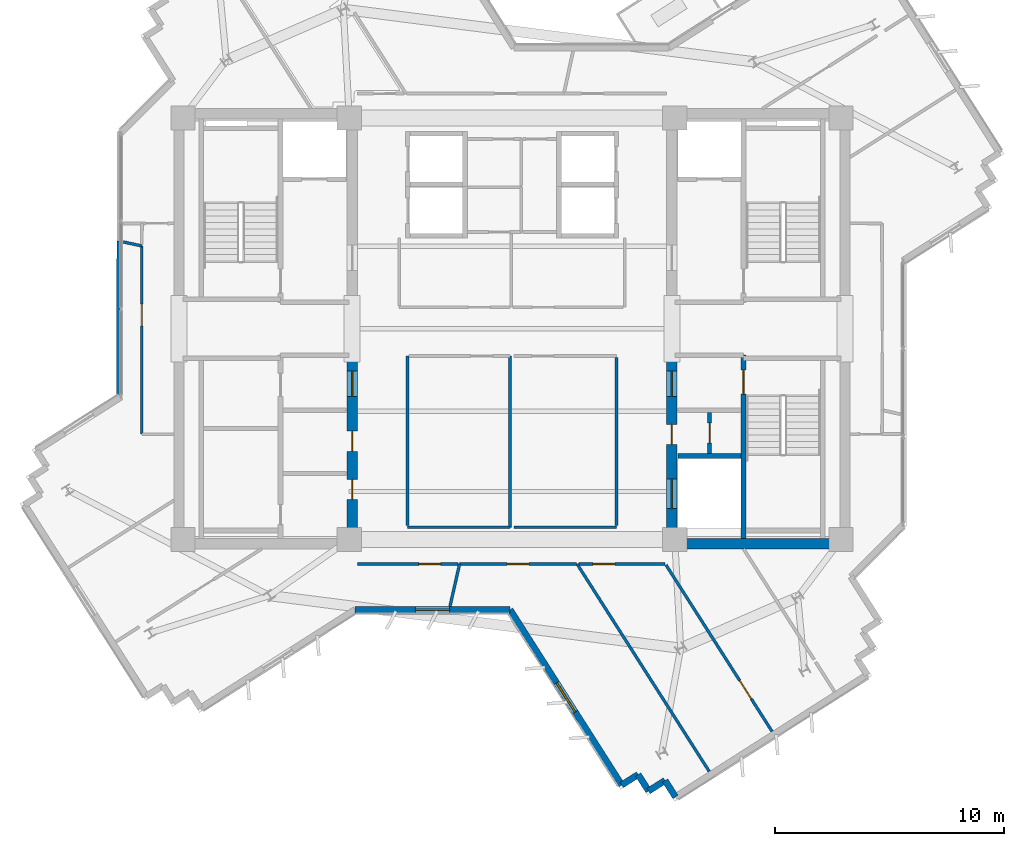
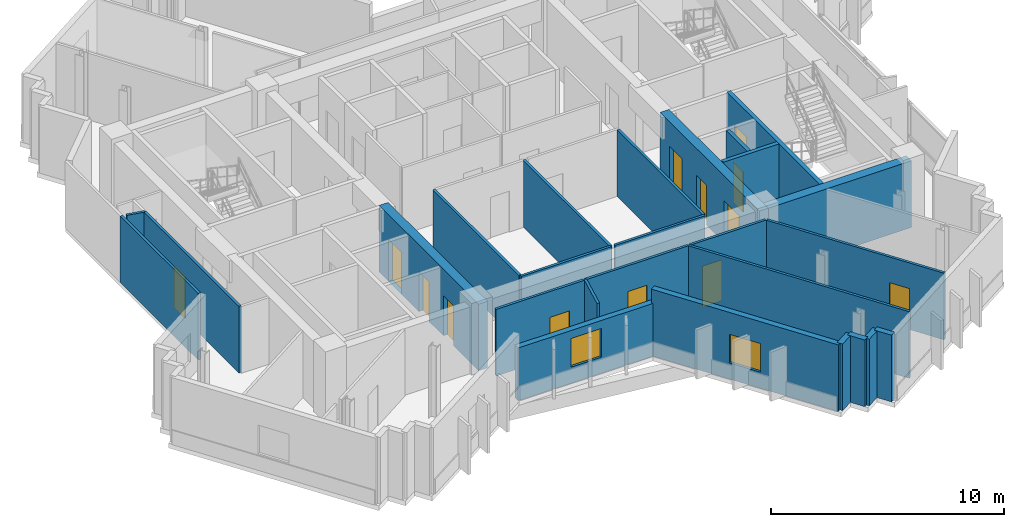
# One storey, part 5 of 12: 26 walls, 13 doors, 2 windows, 15 openings.
"""IFC4 building model written with IfcOpenShell, lengths in metres."""

from ifc_helpers import new_model, si_unit, direction, frame, frame_2d, origin, place, context, subcontext, project, spatial, rectangle, extrude, source, transform, mapped, material, layer, layer_set, type_object, element, fill, save


model = new_model("IFC4")

# Units and contexts
model_context = context("Model", 3, precision=1e-05, world=origin(), true_north=direction((0.0, 1.0)))
body_context = subcontext(model_context, "Body", "Model", "MODEL_VIEW")
ifc_project = project(units=[si_unit("LENGTHUNIT", "METRE"), si_unit("AREAUNIT", "SQUARE_METRE"), si_unit("VOLUMEUNIT", "CUBIC_METRE"), si_unit("PLANEANGLEUNIT", "RADIAN"), si_unit("MASSUNIT", "GRAM", prefix="KILO")], contexts=[model_context])

# Site, building, storey
site_placement = place(None, origin())
site = spatial("IfcSite", under=ifc_project, at=site_placement, CompositionType="ELEMENT")
building_placement = place(site_placement, origin())
building = spatial("IfcBuilding", under=site, at=building_placement, Name="Zahravan Cultural Tower", CompositionType="ELEMENT")
storey_placement = place(building_placement, frame((0.0, 0.0, 265.35009765625)))
storey = spatial("IfcBuildingStorey", under=building, at=storey_placement, Name="L63", CompositionType="ELEMENT", Elevation=265.35009765625)

# Wall, openings, doors
ifc_material_1 = material(Name="Concrete C50/60", Category="concrete")
ifc_layer_1 = layer(ifc_material_1, 0.449951171875)
ifc_layer_set_1 = layer_set([ifc_layer_1], Name="Concrete C50/60")
wall_type_1 = type_object("IfcWallType", Name="CW-SHEAR-450-C50", PredefinedType="SHEAR", material=ifc_layer_set_1)
wall_1_placement = place(storey_placement, frame((29.02490234375, 17.39990234375, 0.0), z_axis=(0.0, 0.0, 1.0), x_axis=(0.0, 1.0, 0.0)))
wall_1 = element("IfcWall", 1, at=wall_1_placement, inside=storey, type_object=wall_type_1, Name="L63 Core Shear Wall CW-W-ES-L63", PredefinedType="SHEAR", context=body_context, shape_type="SweptSolid", body=[
    extrude(rectangle(XDim=8.550048828125, YDim=0.449951171875, at=frame_2d((4.27490234375, 0.0))), origin(), (0.0, 0.0, 1.0), 3.5),
])
opening_1_placement = place(wall_1_placement, frame((6.64990234375, 0.0, 0.0)))
opening_1 = element("IfcOpeningElement", 2, at=opening_1_placement, cuts=wall_1, Name="Opening D-L63-08", PredefinedType="OPENING", context=body_context, shape_type="SweptSolid", body=[
    extrude(rectangle(XDim=1.10009765625, YDim=2.199951171875, at=frame_2d((0.550048828125, 1.10009765625))), frame((0.0, 0.23486328125, 0.0), z_axis=(0.0, -1.0, 0.0), x_axis=(1.0, 0.0, 0.0)), (0.0, 0.0, 1.0), 0.469970703125),
])
opening_2_placement = place(wall_1_placement, frame((2.14990234375, 0.0, 0.0)))
opening_2 = element("IfcOpeningElement", 3, at=opening_2_placement, cuts=wall_1, Name="Opening D-L63-10", PredefinedType="OPENING", context=body_context, shape_type="SweptSolid", body=[
    extrude(rectangle(XDim=0.8798828125, YDim=2.10009765625, at=frame_2d((0.43994140625, 1.050048828125))), frame((0.0, 0.23486328125, 0.0), z_axis=(0.0, -1.0, 0.0), x_axis=(1.0, 0.0, 0.0)), (0.0, 0.0, 1.0), 0.469970703125),
])
opening_3_placement = place(wall_1_placement, frame((4.25, 0.0, 0.0)))
opening_3 = element("IfcOpeningElement", 4, at=opening_3_placement, cuts=wall_1, Name="Opening D-L63-11", PredefinedType="OPENING", context=body_context, shape_type="SweptSolid", body=[
    extrude(rectangle(XDim=0.8798828125, YDim=2.10009765625, at=frame_2d((0.43994140625, 1.050048828125))), frame((0.0, 0.23486328125, 0.0), z_axis=(0.0, -1.0, 0.0), x_axis=(1.0, 0.0, 0.0)), (0.0, 0.0, 1.0), 0.469970703125),
])
ifc_material_2 = material(Name="Steel ASTM A572 Grade 50", Category="steel")
door_type_1 = type_object("IfcDoorType", Name="DR-LOBBY-1100", OperationType="NOTDEFINED", PredefinedType="DOOR", material=ifc_material_2)
shared_shape_1 = source(origin(), body_context, "Body", "SweptSolid", [
    extrude(rectangle(XDim=1.10009765625, YDim=2.199951171875, at=frame_2d((0.550048828125, 1.10009765625))), frame((0.0, 0.02490234375, 0.0), z_axis=(0.0, -1.0, 0.0), x_axis=(1.0, 0.0, 0.0)), (0.0, 0.0, 1.0), 0.050048828125),
])
door_1_placement = place(opening_1_placement, origin())
door_1 = element("IfcDoor", 5, at=door_1_placement, inside=storey, type_object=door_type_1, Name="L63 Door D-L63-08", OperationType="SINGLE_SWING_LEFT", OverallHeight=2.199951171875, OverallWidth=1.10009765625, PredefinedType="DOOR", context=body_context, shape_type="MappedRepresentation", body=[
    mapped(shared_shape_1, transform((0.0, 0.0, 0.0), x_axis=(1.0, 0.0, 0.0), y_axis=(0.0, 1.0, 0.0), z_axis=(0.0, 0.0, 1.0), scale=1.0)),
])
fill(opening_1, door_1)
door_type_2 = type_object("IfcDoorType", Name="DR-SVC-880", OperationType="NOTDEFINED", PredefinedType="DOOR", material=ifc_material_2)
shared_shape_2 = source(origin(), body_context, "Body", "SweptSolid", [
    extrude(rectangle(XDim=0.8798828125, YDim=2.10009765625, at=frame_2d((0.43994140625, 1.050048828125))), frame((0.0, 0.02490234375, 0.0), z_axis=(0.0, -1.0, 0.0), x_axis=(1.0, 0.0, 0.0)), (0.0, 0.0, 1.0), 0.050048828125),
])
door_2_placement = place(opening_2_placement, origin())
door_2 = element("IfcDoor", 6, at=door_2_placement, inside=storey, type_object=door_type_2, Name="L63 Door D-L63-10", OperationType="SINGLE_SWING_LEFT", OverallHeight=2.10009765625, OverallWidth=0.8798828125, PredefinedType="DOOR", context=body_context, shape_type="MappedRepresentation", body=[
    mapped(shared_shape_2, transform((0.0, 0.0, 0.0), x_axis=(1.0, 0.0, 0.0), y_axis=(0.0, 1.0, 0.0), z_axis=(0.0, 0.0, 1.0), scale=1.0)),
])
fill(opening_2, door_2)
door_3_placement = place(opening_3_placement, origin())
door_3 = element("IfcDoor", 7, at=door_3_placement, inside=storey, type_object=door_type_2, Name="L63 Door D-L63-11", OperationType="SINGLE_SWING_RIGHT", OverallHeight=2.10009765625, OverallWidth=0.8798828125, PredefinedType="DOOR", context=body_context, shape_type="MappedRepresentation", body=[
    mapped(shared_shape_2, transform((0.0, 0.0, 0.0), x_axis=(1.0, 0.0, 0.0), y_axis=(0.0, 1.0, 0.0), z_axis=(0.0, 0.0, 1.0), scale=1.0)),
])
fill(opening_3, door_3)

wall_2_placement = place(storey_placement, frame((42.97509765625, 17.39990234375, 0.0), z_axis=(0.0, 0.0, 1.0), x_axis=(0.0, 1.0, 0.0)))
wall_2 = element("IfcWall", 8, at=wall_2_placement, inside=storey, type_object=wall_type_1, Name="L63 Core Shear Wall CW-E-WS-L63", PredefinedType="SHEAR", context=body_context, shape_type="SweptSolid", body=[
    extrude(rectangle(XDim=8.550048828125, YDim=0.449951171875, at=frame_2d((4.27490234375, 0.0))), origin(), (0.0, 0.0, 1.0), 3.5),
])
opening_4_placement = place(wall_2_placement, frame((6.64990234375, 0.0, 0.0)))
opening_4 = element("IfcOpeningElement", 9, at=opening_4_placement, cuts=wall_2, Name="Opening D-L63-09", PredefinedType="OPENING", context=body_context, shape_type="SweptSolid", body=[
    extrude(rectangle(XDim=1.10009765625, YDim=2.199951171875, at=frame_2d((0.550048828125, 1.10009765625))), frame((0.0, 0.23486328125, 0.0), z_axis=(0.0, -1.0, 0.0), x_axis=(1.0, 0.0, 0.0)), (0.0, 0.0, 1.0), 0.469970703125),
])
opening_5_placement = place(wall_2_placement, frame((1.75, 0.0, 0.0)))
opening_5 = element("IfcOpeningElement", 10, at=opening_5_placement, cuts=wall_2, Name="Opening LD-L63-03", PredefinedType="OPENING", context=body_context, shape_type="SweptSolid", body=[
    extrude(rectangle(XDim=1.300048828125, YDim=2.199951171875, at=frame_2d((0.64990234375, 1.10009765625))), frame((0.0, 0.23486328125, 0.0), z_axis=(0.0, -1.0, 0.0), x_axis=(1.0, 0.0, 0.0)), (0.0, 0.0, 1.0), 0.469970703125),
])
opening_6_placement = place(wall_2_placement, frame((4.550048828125, 0.0, 0.0)))
opening_6 = element("IfcOpeningElement", 11, at=opening_6_placement, cuts=wall_2, Name="Opening D-L63-12", PredefinedType="OPENING", context=body_context, shape_type="SweptSolid", body=[
    extrude(rectangle(XDim=0.8798828125, YDim=2.10009765625, at=frame_2d((0.43994140625, 1.050048828125))), frame((0.0, 0.23486328125, 0.0), z_axis=(0.0, -1.0, 0.0), x_axis=(1.0, 0.0, 0.0)), (0.0, 0.0, 1.0), 0.469970703125),
])
door_4_placement = place(opening_4_placement, origin())
door_4 = element("IfcDoor", 12, at=door_4_placement, inside=storey, type_object=door_type_1, Name="L63 Door D-L63-09", OperationType="SINGLE_SWING_RIGHT", OverallHeight=2.199951171875, OverallWidth=1.10009765625, PredefinedType="DOOR", context=body_context, shape_type="MappedRepresentation", body=[
    mapped(shared_shape_1, transform((0.0, 0.0, 0.0), x_axis=(1.0, 0.0, 0.0), y_axis=(0.0, 1.0, 0.0), z_axis=(0.0, 0.0, 1.0), scale=1.0)),
])
fill(opening_4, door_4)
door_type_3 = type_object("IfcDoorType", Name="DR-LIFT-1300", OperationType="DOUBLE_DOOR_SLIDING", PredefinedType="DOOR", material=ifc_material_2)
shared_shape_3 = source(origin(), body_context, "Body", "SweptSolid", [
    extrude(rectangle(XDim=1.300048828125, YDim=2.199951171875, at=frame_2d((0.64990234375, 1.10009765625))), frame((0.0, 0.02490234375, 0.0), z_axis=(0.0, -1.0, 0.0), x_axis=(1.0, 0.0, 0.0)), (0.0, 0.0, 1.0), 0.050048828125),
])
door_5_placement = place(opening_5_placement, origin())
door_5 = element("IfcDoor", 13, at=door_5_placement, inside=storey, type_object=door_type_3, Name="L63 Door LD-L63-03", OperationType="DOUBLE_DOOR_SLIDING", OverallHeight=2.199951171875, OverallWidth=1.300048828125, PredefinedType="DOOR", context=body_context, shape_type="MappedRepresentation", body=[
    mapped(shared_shape_3, transform((0.0, 0.0, 0.0), x_axis=(1.0, 0.0, 0.0), y_axis=(0.0, 1.0, 0.0), z_axis=(0.0, 0.0, 1.0), scale=1.0)),
])
fill(opening_5, door_5)
door_6_placement = place(opening_6_placement, origin())
door_6 = element("IfcDoor", 14, at=door_6_placement, inside=storey, type_object=door_type_2, Name="L63 Door D-L63-12", OperationType="SINGLE_SWING_LEFT", OverallHeight=2.10009765625, OverallWidth=0.8798828125, PredefinedType="DOOR", context=body_context, shape_type="MappedRepresentation", body=[
    mapped(shared_shape_2, transform((0.0, 0.0, 0.0), x_axis=(1.0, 0.0, 0.0), y_axis=(0.0, 1.0, 0.0), z_axis=(0.0, 0.0, 1.0), scale=1.0)),
])
fill(opening_6, door_6)

# Wall, opening, window
ifc_material_3 = material(Name="Precast concrete C40/50", Category="concrete")
ifc_layer_2 = layer(ifc_material_3, 0.280029296875)
ifc_layer_set_2 = layer_set([ifc_layer_2], Name="Precast concrete C40/50")
wall_type_2 = type_object("IfcWallType", Name="EW-TC-280", PredefinedType="SOLIDWALL", material=ifc_layer_set_2)
wall_3_placement = place(storey_placement, frame((40.78515625, 7.093505859375, 0.0), z_axis=(0.0, 0.0, 1.0), x_axis=(-0.537298831286, 0.843391940855, 0.0)))
wall_3 = element("IfcWall", 15, at=wall_3_placement, inside=storey, type_object=wall_type_2, Name="L63 Exterior Masonry Frame Wall 23", PredefinedType="SOLIDWALL", context=body_context, shape_type="SweptSolid", body=[
    extrude(rectangle(XDim=9.06640625, YDim=0.280029296875, at=frame_2d((4.533203125, 0.0))), origin(), (0.0, 0.0, 1.0), 3.5),
])
opening_7_placement = place(wall_3_placement, frame((3.782958984375, 0.0, 0.85009765625)))
opening_7 = element("IfcOpeningElement", 16, at=opening_7_placement, cuts=wall_3, Name="Opening WN-03", PredefinedType="OPENING", context=body_context, shape_type="SweptSolid", body=[
    extrude(rectangle(XDim=1.5, YDim=1.5, at=frame_2d((0.75, 0.75))), frame((0.0, 0.14990234375, 0.0), z_axis=(0.0, -1.0, 0.0), x_axis=(1.0, 0.0, 0.0)), (0.0, 0.0, 1.0), 0.300048828125),
])
ifc_material_4 = material(Name="Low-E solar-control double glazing", Category="glass")
window_type = type_object("IfcWindowType", Name="WN-REC-1500X1500", PartitioningType="SINGLE_PANEL", PredefinedType="WINDOW", material=ifc_material_4)
shared_shape_4 = source(origin(), body_context, "Body", "SweptSolid", [
    extrude(rectangle(XDim=1.5, YDim=1.5, at=frame_2d((0.75, 0.75))), frame((0.0, 0.030029296875, 0.0), z_axis=(0.0, -1.0, 0.0), x_axis=(1.0, 0.0, 0.0)), (0.0, 0.0, 1.0), 0.06005859375),
])
window_1_placement = place(opening_7_placement, origin())
window_1 = element("IfcWindow", 17, at=window_1_placement, inside=storey, type_object=window_type, Name="L63 Recessed Solar Window 03", OverallHeight=1.5, OverallWidth=1.5, PartitioningType="SINGLE_PANEL", PredefinedType="WINDOW", context=body_context, shape_type="MappedRepresentation", body=[
    mapped(shared_shape_4, transform((0.0, 0.0, 0.0), x_axis=(1.0, 0.0, 0.0), y_axis=(0.0, 1.0, 0.0), z_axis=(0.0, 0.0, 1.0), scale=1.0)),
])
fill(opening_7, window_1)

wall_4_placement = place(storey_placement, frame((35.913818359375, 14.739990234375, 0.0), z_axis=(0.0, 0.0, 1.0), x_axis=(-1.0, 0.0, 0.0)))
wall_4 = element("IfcWall", 18, at=wall_4_placement, inside=storey, type_object=wall_type_2, Name="L63 Exterior Masonry Frame Wall 24", PredefinedType="SOLIDWALL", context=body_context, shape_type="SweptSolid", body=[
    extrude(rectangle(XDim=6.762939453125, YDim=0.280029296875, at=frame_2d((3.38134765625, 0.0))), origin(), (0.0, 0.0, 1.0), 2.77197265625),
])
opening_8_placement = place(wall_4_placement, frame((2.631103515625, 0.0, 0.85009765625)))
opening_8 = element("IfcOpeningElement", 19, at=opening_8_placement, cuts=wall_4, Name="Opening WN-03", PredefinedType="OPENING", context=body_context, shape_type="SweptSolid", body=[
    extrude(rectangle(XDim=1.5, YDim=1.5, at=frame_2d((0.75, 0.75))), frame((0.0, 0.14990234375, 0.0), z_axis=(0.0, -1.0, 0.0), x_axis=(1.0, 0.0, 0.0)), (0.0, 0.0, 1.0), 0.300048828125),
])
window_2_placement = place(opening_8_placement, origin())
window_2 = element("IfcWindow", 20, at=window_2_placement, inside=storey, type_object=window_type, Name="L63 Recessed Solar Window 04", OverallHeight=1.5, OverallWidth=1.5, PartitioningType="SINGLE_PANEL", PredefinedType="WINDOW", context=body_context, shape_type="MappedRepresentation", body=[
    mapped(shared_shape_4, transform((0.0, 0.0, 0.0), x_axis=(1.0, 0.0, 0.0), y_axis=(0.0, 1.0, 0.0), z_axis=(0.0, 0.0, 1.0), scale=1.0)),
])
fill(opening_8, window_2)

# Wall, opening, door
ifc_material_5 = material(Name="Gypsum plasterboard partition")
ifc_layer_3 = layer(ifc_material_5, 0.179931640625)
ifc_layer_set_3 = layer_set([ifc_layer_3], Name="Gypsum plasterboard partition")
wall_type_3 = type_object("IfcWallType", Name="W-COMP-180", PredefinedType="PARTITIONING", material=ifc_layer_set_3)
wall_5_placement = place(storey_placement, frame((44.6201171875, 21.550048828125, 0.0), z_axis=(0.0, 0.0, 1.0), x_axis=(0.0, 1.0, 0.0)))
wall_5 = element("IfcWall", 21, at=wall_5_placement, inside=storey, type_object=wall_type_3, Name="L63 Interior Wall 028", PredefinedType="PARTITIONING", context=body_context, shape_type="SweptSolid", body=[
    extrude(rectangle(XDim=1.800048828125, YDim=0.179931640625, at=frame_2d((0.89990234375, 0.0))), origin(), (0.0, 0.0, 1.0), 3.5),
])
opening_9_placement = place(wall_5_placement, frame((0.4599609375, 0.0, 0.0)))
opening_9 = element("IfcOpeningElement", 22, at=opening_9_placement, cuts=wall_5, Name="Opening D-L63-13", PredefinedType="OPENING", context=body_context, shape_type="SweptSolid", body=[
    extrude(rectangle(XDim=0.8798828125, YDim=2.10009765625, at=frame_2d((0.43994140625, 1.050048828125))), frame((0.0, 0.099853515625, 0.0), z_axis=(0.0, -1.0, 0.0), x_axis=(1.0, 0.0, 0.0)), (0.0, 0.0, 1.0), 0.199951171875),
])
door_7_placement = place(opening_9_placement, origin())
door_7 = element("IfcDoor", 23, at=door_7_placement, inside=storey, type_object=door_type_2, Name="L63 Door D-L63-13", OperationType="SINGLE_SWING_RIGHT", OverallHeight=2.10009765625, OverallWidth=0.8798828125, PredefinedType="DOOR", context=body_context, shape_type="MappedRepresentation", body=[
    mapped(shared_shape_2, transform((0.0, 0.0, 0.0), x_axis=(1.0, 0.0, 0.0), y_axis=(0.0, 1.0, 0.0), z_axis=(0.0, 0.0, 1.0), scale=1.0)),
])
fill(opening_9, door_7)

ifc_layer_4 = layer(ifc_material_5, 0.125)
ifc_layer_set_4 = layer_set([ifc_layer_4], Name="Gypsum plasterboard partition")
wall_type_4 = type_object("IfcWallType", Name="W-PART-125", PredefinedType="PARTITIONING", material=ifc_layer_set_4)
wall_6_placement = place(storey_placement, frame((47.347412109375, 9.430419921875, 0.0), z_axis=(0.0, 0.0, 1.0), x_axis=(-0.537311775461, 0.843383694383, 0.0)))
wall_6 = element("IfcWall", 24, at=wall_6_placement, inside=storey, type_object=wall_type_4, Name="L63 Interior Wall 061", PredefinedType="PARTITIONING", context=body_context, shape_type="SweptSolid", body=[
    extrude(rectangle(XDim=8.6162109375, YDim=0.125, at=frame_2d((4.30810546875, 0.0))), origin(), (0.0, 0.0, 1.0), 3.5),
])
opening_10_placement = place(wall_6_placement, frame((1.6865234375, 0.0, 0.0)))
opening_10 = element("IfcOpeningElement", 25, at=opening_10_placement, cuts=wall_6, Name="Opening D-L63-33", PredefinedType="OPENING", context=body_context, shape_type="SweptSolid", body=[
    extrude(rectangle(XDim=0.949951171875, YDim=2.14990234375, at=frame_2d((0.47509765625, 1.074951171875))), frame((0.0, 0.072509765625, 0.0), z_axis=(0.0, -1.0, 0.0), x_axis=(1.0, 0.0, 0.0)), (0.0, 0.0, 1.0), 0.14501953125),
])
ifc_material_6 = material(Name="Anodised bronze-aluminium mullion", Category="aluminium")
door_type_4 = type_object("IfcDoorType", Name="DR-ROOM-950", OperationType="NOTDEFINED", PredefinedType="DOOR", material=ifc_material_6)
shared_shape_5 = source(origin(), body_context, "Body", "SweptSolid", [
    extrude(rectangle(XDim=0.949951171875, YDim=2.14990234375, at=frame_2d((0.47509765625, 1.074951171875))), frame((0.0, 0.02490234375, 0.0), z_axis=(0.0, -1.0, 0.0), x_axis=(1.0, 0.0, 0.0)), (0.0, 0.0, 1.0), 0.050048828125),
])
door_8_placement = place(opening_10_placement, origin())
door_8 = element("IfcDoor", 26, at=door_8_placement, inside=storey, type_object=door_type_4, Name="L63 Door D-L63-33", OperationType="SINGLE_SWING_RIGHT", OverallHeight=2.14990234375, OverallWidth=0.949951171875, PredefinedType="DOOR", context=body_context, shape_type="MappedRepresentation", body=[
    mapped(shared_shape_5, transform((0.0, 0.0, 0.0), x_axis=(1.0, 0.0, 0.0), y_axis=(0.0, 1.0, 0.0), z_axis=(0.0, 0.0, 1.0), scale=1.0)),
])
fill(opening_10, door_8)

wall_7_placement = place(storey_placement, frame((38.9169921875, 16.739990234375, 0.0), z_axis=(0.0, 0.0, 1.0), x_axis=(1.0, 0.0, 0.0)))
wall_7 = element("IfcWall", 27, at=wall_7_placement, inside=storey, type_object=wall_type_4, Name="L63 Interior Wall 065", PredefinedType="PARTITIONING", context=body_context, shape_type="SweptSolid", body=[
    extrude(rectangle(XDim=3.749755859375, YDim=0.125, at=frame_2d((1.875, 0.0))), origin(), (0.0, 0.0, 1.0), 3.5),
])
opening_11_placement = place(wall_7_placement, frame((0.615966796875, 0.0, 0.0)))
opening_11 = element("IfcOpeningElement", 28, at=opening_11_placement, cuts=wall_7, Name="Opening D-L63-28", PredefinedType="OPENING", context=body_context, shape_type="SweptSolid", body=[
    extrude(rectangle(XDim=0.949951171875, YDim=2.14990234375, at=frame_2d((0.47509765625, 1.074951171875))), frame((0.0, 0.072509765625, 0.0), z_axis=(0.0, -1.0, 0.0), x_axis=(1.0, 0.0, 0.0)), (0.0, 0.0, 1.0), 0.14501953125),
])
door_9_placement = place(opening_11_placement, origin())
door_9 = element("IfcDoor", 29, at=door_9_placement, inside=storey, type_object=door_type_4, Name="L63 Door D-L63-28", OperationType="SINGLE_SWING_LEFT", OverallHeight=2.14990234375, OverallWidth=0.949951171875, PredefinedType="DOOR", context=body_context, shape_type="MappedRepresentation", body=[
    mapped(shared_shape_5, transform((0.0, 0.0, 0.0), x_axis=(1.0, 0.0, 0.0), y_axis=(0.0, 1.0, 0.0), z_axis=(0.0, 0.0, 1.0), scale=1.0)),
])
fill(opening_11, door_9)

wall_8_placement = place(storey_placement, frame((19.85009765625, 30.61279296875, 0.0), z_axis=(0.0, 0.0, 1.0), x_axis=(0.0, -1.0, 0.0)))
wall_8 = element("IfcWall", 30, at=wall_8_placement, inside=storey, type_object=wall_type_4, Name="L63 Interior Wall 081", PredefinedType="PARTITIONING", context=body_context, shape_type="SweptSolid", body=[
    extrude(rectangle(XDim=8.206787109375, YDim=0.125, at=frame_2d((4.103515625, 0.0))), origin(), (0.0, 0.0, 1.0), 3.5),
])
opening_12_placement = place(wall_8_placement, frame((2.5400390625, 0.0, 0.0)))
opening_12 = element("IfcOpeningElement", 31, at=opening_12_placement, cuts=wall_8, Name="Opening D-L63-25", PredefinedType="OPENING", context=body_context, shape_type="SweptSolid", body=[
    extrude(rectangle(XDim=0.949951171875, YDim=2.14990234375, at=frame_2d((0.47509765625, 1.074951171875))), frame((0.0, 0.072509765625, 0.0), z_axis=(0.0, -1.0, 0.0), x_axis=(1.0, 0.0, 0.0)), (0.0, 0.0, 1.0), 0.14501953125),
])
door_10_placement = place(opening_12_placement, origin())
door_10 = element("IfcDoor", 32, at=door_10_placement, inside=storey, type_object=door_type_4, Name="L63 Door D-L63-25", OperationType="SINGLE_SWING_RIGHT", OverallHeight=2.14990234375, OverallWidth=0.949951171875, PredefinedType="DOOR", context=body_context, shape_type="MappedRepresentation", body=[
    mapped(shared_shape_5, transform((0.0, 0.0, 0.0), x_axis=(1.0, 0.0, 0.0), y_axis=(0.0, 1.0, 0.0), z_axis=(0.0, 0.0, 1.0), scale=1.0)),
])
fill(opening_12, door_10)

wall_9_placement = place(storey_placement, frame((33.714111328125, 16.739990234375, 0.0), z_axis=(0.0, 0.0, 1.0), x_axis=(1.0, 0.0, 0.0)))
wall_9 = element("IfcWall", 33, at=wall_9_placement, inside=storey, type_object=wall_type_4, Name="L63 Interior Wall 090", PredefinedType="PARTITIONING", context=body_context, shape_type="SweptSolid", body=[
    extrude(rectangle(XDim=5.09912109375, YDim=0.125, at=frame_2d((2.549560546875, 0.0))), origin(), (0.0, 0.0, 1.0), 3.5),
])
opening_13_placement = place(wall_9_placement, frame((2.07470703125, 0.0, 0.0)))
opening_13 = element("IfcOpeningElement", 34, at=opening_13_placement, cuts=wall_9, Name="Opening D-L63-27", PredefinedType="OPENING", context=body_context, shape_type="SweptSolid", body=[
    extrude(rectangle(XDim=0.949951171875, YDim=2.14990234375, at=frame_2d((0.47509765625, 1.074951171875))), frame((0.0, 0.072509765625, 0.0), z_axis=(0.0, -1.0, 0.0), x_axis=(1.0, 0.0, 0.0)), (0.0, 0.0, 1.0), 0.14501953125),
])
door_11_placement = place(opening_13_placement, origin())
door_11 = element("IfcDoor", 35, at=door_11_placement, inside=storey, type_object=door_type_4, Name="L63 Door D-L63-27", OperationType="SINGLE_SWING_RIGHT", OverallHeight=2.14990234375, OverallWidth=0.949951171875, PredefinedType="DOOR", context=body_context, shape_type="MappedRepresentation", body=[
    mapped(shared_shape_5, transform((0.0, 0.0, 0.0), x_axis=(1.0, 0.0, 0.0), y_axis=(0.0, 1.0, 0.0), z_axis=(0.0, 0.0, 1.0), scale=1.0)),
])
fill(opening_13, door_11)

wall_10_placement = place(storey_placement, frame((29.257568359375, 16.740234375, 0.0), z_axis=(0.0, 0.0, 1.0), x_axis=(0.999999998452, -5.5645206e-05, 0.0)))
wall_10 = element("IfcWall", 36, at=wall_10_placement, inside=storey, type_object=wall_type_4, Name="L63 Interior Wall 094", PredefinedType="PARTITIONING", context=body_context, shape_type="SweptSolid", body=[
    extrude(rectangle(XDim=4.387451171875, YDim=0.125, at=frame_2d((2.19384765625, 0.0))), origin(), (0.0, 0.0, 1.0), 3.5),
])
opening_14_placement = place(wall_10_placement, frame((2.68115234375, 0.0, 0.0)))
opening_14 = element("IfcOpeningElement", 37, at=opening_14_placement, cuts=wall_10, Name="Opening D-L63-26", PredefinedType="OPENING", context=body_context, shape_type="SweptSolid", body=[
    extrude(rectangle(XDim=0.949951171875, YDim=2.14990234375, at=frame_2d((0.47509765625, 1.074951171875))), frame((0.0, 0.072509765625, 0.0), z_axis=(0.0, -1.0, 0.0), x_axis=(1.0, 0.0, 0.0)), (0.0, 0.0, 1.0), 0.14501953125),
])
door_12_placement = place(opening_14_placement, origin())
door_12 = element("IfcDoor", 38, at=door_12_placement, inside=storey, type_object=door_type_4, Name="L63 Door D-L63-26", OperationType="SINGLE_SWING_LEFT", OverallHeight=2.14990234375, OverallWidth=0.949951171875, PredefinedType="DOOR", context=body_context, shape_type="MappedRepresentation", body=[
    mapped(shared_shape_5, transform((0.0, 0.0, 0.0), x_axis=(1.0, 0.0, 0.0), y_axis=(0.0, 1.0, 0.0), z_axis=(0.0, 0.0, 1.0), scale=1.0)),
])
fill(opening_14, door_12)

ifc_material_7 = material(Name="Concrete C45/55", Category="concrete")
ifc_layer_5 = layer(ifc_material_7, 0.199951171875)
ifc_layer_set_5 = layer_set([ifc_layer_5], Name="Concrete C45/55")
wall_type_5 = type_object("IfcWallType", Name="W-SHAFT-200", PredefinedType="SOLIDWALL", material=ifc_layer_set_5)
wall_11_placement = place(storey_placement, frame((46.10009765625, 17.85009765625, 0.0), z_axis=(0.0, 0.0, 1.0), x_axis=(0.0, 1.0, 0.0)))
wall_11 = element("IfcWall", 39, at=wall_11_placement, inside=storey, type_object=wall_type_5, Name="L63 Interior Wall 007", PredefinedType="SOLIDWALL", context=body_context, shape_type="SweptSolid", body=[
    extrude(rectangle(XDim=8.0, YDim=0.199951171875, at=frame_2d((4.0, 0.0))), origin(), (0.0, 0.0, 1.0), 3.5),
])
opening_15_placement = place(wall_11_placement, frame((6.300048828125, 0.0, 0.0)))
opening_15 = element("IfcOpeningElement", 40, at=opening_15_placement, cuts=wall_11, Name="Opening D-L63-03", PredefinedType="OPENING", context=body_context, shape_type="SweptSolid", body=[
    extrude(rectangle(XDim=1.050048828125, YDim=2.14990234375, at=frame_2d((0.52490234375, 1.074951171875))), frame((0.0, 0.10986328125, 0.0), z_axis=(0.0, -1.0, 0.0), x_axis=(1.0, 0.0, 0.0)), (0.0, 0.0, 1.0), 0.219970703125),
])
door_type_5 = type_object("IfcDoorType", Name="DR-STAIR-1050", OperationType="NOTDEFINED", PredefinedType="DOOR", material=ifc_material_2)
shared_shape_6 = source(origin(), body_context, "Body", "SweptSolid", [
    extrude(rectangle(XDim=1.050048828125, YDim=2.14990234375, at=frame_2d((0.52490234375, 1.074951171875))), frame((0.0, 0.02490234375, 0.0), z_axis=(0.0, -1.0, 0.0), x_axis=(1.0, 0.0, 0.0)), (0.0, 0.0, 1.0), 0.050048828125),
])
door_13_placement = place(opening_15_placement, origin())
door_13 = element("IfcDoor", 41, at=door_13_placement, inside=storey, type_object=door_type_5, Name="L63 Door D-L63-03", OperationType="SINGLE_SWING_RIGHT", OverallHeight=2.14990234375, OverallWidth=1.050048828125, PredefinedType="DOOR", context=body_context, shape_type="MappedRepresentation", body=[
    mapped(shared_shape_6, transform((0.0, 0.0, 0.0), x_axis=(1.0, 0.0, 0.0), y_axis=(0.0, 1.0, 0.0), z_axis=(0.0, 0.0, 1.0), scale=1.0)),
])
fill(opening_15, door_13)

# Walls
shared_shape_7 = source(origin(), body_context, "Body", "SweptSolid", [
    extrude(rectangle(XDim=7.10009765625, YDim=0.449951171875, at=frame_2d((3.550048828125, 0.0))), origin(), (0.0, 0.0, 1.0), 3.5),
])
wall_12_placement = place(storey_placement, frame((43.199951171875, 17.625, 0.0), z_axis=(0.0, 0.0, 1.0), x_axis=(1.0, 0.0, 0.0)))
element("IfcWall", 42, at=wall_12_placement, inside=storey, type_object=wall_type_1, Name="L63 Core Shear Wall CW-E-S-L63", PredefinedType="SHEAR", context=body_context, shape_type="MappedRepresentation", body=[
    mapped(shared_shape_7, transform((0.0, 0.0, 0.0), x_axis=(1.0, 0.0, 0.0), y_axis=(0.0, 1.0, 0.0), z_axis=(0.0, 0.0, 1.0), scale=1.0)),
])
shared_shape_8 = source(origin(), body_context, "Body", "SweptSolid", [
    extrude(rectangle(XDim=0.85009765625, YDim=0.280029296875, at=frame_2d((0.425048828125, 0.0))), origin(), (0.0, 0.0, 1.0), 3.5),
])
wall_13_placement = place(storey_placement, frame((42.67578125, 7.2900390625, 0.0), z_axis=(0.0, 0.0, 1.0), x_axis=(-0.843531374408, -0.537079901308, 0.0)))
element("IfcWall", 43, at=wall_13_placement, inside=storey, type_object=wall_type_2, Name="L63 Exterior Masonry Frame Wall 20", PredefinedType="SOLIDWALL", context=body_context, shape_type="MappedRepresentation", body=[
    mapped(shared_shape_8, transform((0.0, 0.0, 0.0), x_axis=(1.0, 0.0, 0.0), y_axis=(0.0, 1.0, 0.0), z_axis=(0.0, 0.0, 1.0), scale=1.0)),
])
shared_shape_9 = source(origin(), body_context, "Body", "SweptSolid", [
    extrude(rectangle(XDim=0.849853515625, YDim=0.280029296875, at=frame_2d((0.4248046875, 0.0))), origin(), (0.0, 0.0, 1.0), 3.5),
])
for number, where, z_axis, x_axis, name in (
    (44, (43.13232421875, 6.5732421875, 0.0), (0.0, 0.0, 1.0), (-0.537210044462, 0.843448497615, 0.0), "L63 Exterior Masonry Frame Wall 19"),
    (45, (41.958740234375, 6.83349609375, 0.0), (0.0, 0.0, 1.0), (-0.537414368337, 0.843318324659, 0.0), "L63 Exterior Masonry Frame Wall 21"),
    (46, (41.501953125, 7.55029296875, 0.0), (0.0, 0.0, 1.0), (-0.843318324659, -0.537414368337, 0.0), "L63 Exterior Masonry Frame Wall 22"),
):
    element("IfcWall", number, at=place(storey_placement, frame(where, z_axis=z_axis, x_axis=x_axis)), inside=storey, type_object=wall_type_2, Name=name, PredefinedType="SOLIDWALL", context=body_context, shape_type="MappedRepresentation", body=[
        mapped(shared_shape_9, transform((0.0, 0.0, 0.0), x_axis=(1.0, 0.0, 0.0), y_axis=(0.0, 1.0, 0.0), z_axis=(0.0, 0.0, 1.0), scale=1.0)),
    ])
shared_shape_10 = source(origin(), body_context, "Body", "SweptSolid", [
    extrude(rectangle(XDim=2.75, YDim=0.199951171875, at=frame_2d((1.375, 0.0))), origin(), (0.0, 0.0, 1.0), 3.5),
])
wall_14_placement = place(storey_placement, frame((43.25, 21.449951171875, 0.0), z_axis=(0.0, 0.0, 1.0), x_axis=(1.0, 0.0, 0.0)))
element("IfcWall", 47, at=wall_14_placement, inside=storey, type_object=wall_type_5, Name="L63 Interior Wall 026", PredefinedType="SOLIDWALL", context=body_context, shape_type="MappedRepresentation", body=[
    mapped(shared_shape_10, transform((0.0, 0.0, 0.0), x_axis=(1.0, 0.0, 0.0), y_axis=(0.0, 1.0, 0.0), z_axis=(0.0, 0.0, 1.0), scale=1.0)),
])
shared_shape_11 = source(origin(), body_context, "Body", "SweptSolid", [
    extrude(rectangle(XDim=4.469970703125, YDim=0.125, at=frame_2d((2.23486328125, 0.0))), origin(), (0.0, 0.0, 1.0), 3.5),
])
for number, where, z_axis, x_axis, name in (
    (48, (35.909912109375, 18.340087890625, 0.0), (0.0, 0.0, 1.0), (-1.0, 0.0, 0.0), "L63 Interior Wall 069"),
    (49, (40.56005859375, 18.340087890625, 0.0), (0.0, 0.0, 1.0), (-1.0, 0.0, 0.0), "L63 Interior Wall 073"),
):
    element("IfcWall", number, at=place(storey_placement, frame(where, z_axis=z_axis, x_axis=x_axis)), inside=storey, type_object=wall_type_4, Name=name, PredefinedType="PARTITIONING", context=body_context, shape_type="MappedRepresentation", body=[
        mapped(shared_shape_11, transform((0.0, 0.0, 0.0), x_axis=(1.0, 0.0, 0.0), y_axis=(0.0, 1.0, 0.0), z_axis=(0.0, 0.0, 1.0), scale=1.0)),
    ])
shared_shape_12 = source(origin(), body_context, "Body", "SweptSolid", [
    extrude(rectangle(XDim=10.737548828125, YDim=0.125, at=frame_2d((5.36865234375, 0.0))), origin(), (0.0, 0.0, 1.0), 3.5),
])
wall_15_placement = place(storey_placement, frame((44.606201171875, 7.68408203125, 0.0), z_axis=(0.0, 0.0, 1.0), x_axis=(-0.53730207986, 0.843389871281, 0.0)))
element("IfcWall", 50, at=wall_15_placement, inside=storey, type_object=wall_type_4, Name="L63 Interior Wall 064", PredefinedType="PARTITIONING", context=body_context, shape_type="MappedRepresentation", body=[
    mapped(shared_shape_12, transform((0.0, 0.0, 0.0), x_axis=(1.0, 0.0, 0.0), y_axis=(0.0, 1.0, 0.0), z_axis=(0.0, 0.0, 1.0), scale=1.0)),
])
shared_shape_13 = source(origin(), body_context, "Body", "SweptSolid", [
    extrude(rectangle(XDim=7.402587890625, YDim=0.125, at=frame_2d((3.701171875, 0.0))), origin(), (0.0, 0.0, 1.0), 3.5),
])
wall_16_placement = place(storey_placement, frame((31.43994140625, 18.407470703125, 0.0), z_axis=(0.0, 0.0, 1.0), x_axis=(0.0, 1.0, 0.0)))
element("IfcWall", 51, at=wall_16_placement, inside=storey, type_object=wall_type_4, Name="L63 Interior Wall 070", PredefinedType="PARTITIONING", context=body_context, shape_type="MappedRepresentation", body=[
    mapped(shared_shape_13, transform((0.0, 0.0, 0.0), x_axis=(1.0, 0.0, 0.0), y_axis=(0.0, 1.0, 0.0), z_axis=(0.0, 0.0, 1.0), scale=1.0)),
])
shared_shape_14 = source(origin(), body_context, "Body", "SweptSolid", [
    extrude(rectangle(XDim=7.469970703125, YDim=0.125, at=frame_2d((3.73486328125, 0.0))), origin(), (0.0, 0.0, 1.0), 3.5),
])
wall_17_placement = place(storey_placement, frame((35.909912109375, 25.81005859375, 0.0), z_axis=(0.0, 0.0, 1.0), x_axis=(0.0, -1.0, 0.0)))
element("IfcWall", 52, at=wall_17_placement, inside=storey, type_object=wall_type_4, Name="L63 Interior Wall 072", PredefinedType="PARTITIONING", context=body_context, shape_type="MappedRepresentation", body=[
    mapped(shared_shape_14, transform((0.0, 0.0, 0.0), x_axis=(1.0, 0.0, 0.0), y_axis=(0.0, 1.0, 0.0), z_axis=(0.0, 0.0, 1.0), scale=1.0)),
])
shared_shape_15 = source(origin(), body_context, "Body", "SweptSolid", [
    extrude(rectangle(XDim=7.3349609375, YDim=0.125, at=frame_2d((3.66748046875, 0.0))), origin(), (0.0, 0.0, 1.0), 3.5),
])
wall_18_placement = place(storey_placement, frame((40.56005859375, 25.742431640625, 0.0), z_axis=(0.0, 0.0, 1.0), x_axis=(0.0, -1.0, 0.0)))
element("IfcWall", 53, at=wall_18_placement, inside=storey, type_object=wall_type_4, Name="L63 Interior Wall 075", PredefinedType="PARTITIONING", context=body_context, shape_type="MappedRepresentation", body=[
    mapped(shared_shape_15, transform((0.0, 0.0, 0.0), x_axis=(1.0, 0.0, 0.0), y_axis=(0.0, 1.0, 0.0), z_axis=(0.0, 0.0, 1.0), scale=1.0)),
])
shared_shape_16 = source(origin(), body_context, "Body", "SweptSolid", [
    extrude(rectangle(XDim=6.712646484375, YDim=0.125, at=frame_2d((3.3564453125, 0.0))), origin(), (0.0, 0.0, 1.0), 3.5),
])
wall_19_placement = place(storey_placement, frame((18.81787109375, 24.122314453125, 0.0), z_axis=(0.0, 0.0, 1.0), x_axis=(0.000327332225, 0.999999946427, 0.0)))
element("IfcWall", 54, at=wall_19_placement, inside=storey, type_object=wall_type_4, Name="L63 Interior Wall 083", PredefinedType="PARTITIONING", context=body_context, shape_type="MappedRepresentation", body=[
    mapped(shared_shape_16, transform((0.0, 0.0, 0.0), x_axis=(1.0, 0.0, 0.0), y_axis=(0.0, 1.0, 0.0), z_axis=(0.0, 0.0, 1.0), scale=1.0)),
])
shared_shape_17 = source(origin(), body_context, "Body", "SweptSolid", [
    extrude(rectangle(XDim=0.82373046875, YDim=0.125, at=frame_2d((0.411865234375, 0.0))), origin(), (0.0, 0.0, 1.0), 3.5),
])
wall_20_placement = place(storey_placement, frame((19.044921875, 30.786376953125, 0.0), z_axis=(0.0, 0.0, 1.0), x_axis=(0.977541402347, -0.210743461816, 0.0)))
element("IfcWall", 55, at=wall_20_placement, inside=storey, type_object=wall_type_4, Name="L63 Interior Wall 084", PredefinedType="PARTITIONING", context=body_context, shape_type="MappedRepresentation", body=[
    mapped(shared_shape_17, transform((0.0, 0.0, 0.0), x_axis=(1.0, 0.0, 0.0), y_axis=(0.0, 1.0, 0.0), z_axis=(0.0, 0.0, 1.0), scale=1.0)),
])
shared_shape_18 = source(origin(), body_context, "Body", "SweptSolid", [
    extrude(rectangle(XDim=1.902099609375, YDim=0.125, at=frame_2d((0.951171875, 0.0))), origin(), (0.0, 0.0, 1.0), 3.5),
])
wall_21_placement = place(storey_placement, frame((33.293701171875, 14.885009765625, 0.0), z_axis=(0.0, 0.0, 1.0), x_axis=(0.221032985594, 0.975266332485, 0.0)))
element("IfcWall", 56, at=wall_21_placement, inside=storey, type_object=wall_type_4, Name="L63 Interior Wall 091", PredefinedType="PARTITIONING", context=body_context, shape_type="MappedRepresentation", body=[
    mapped(shared_shape_18, transform((0.0, 0.0, 0.0), x_axis=(1.0, 0.0, 0.0), y_axis=(0.0, 1.0, 0.0), z_axis=(0.0, 0.0, 1.0), scale=1.0)),
])

save(model, "model.ifc")
